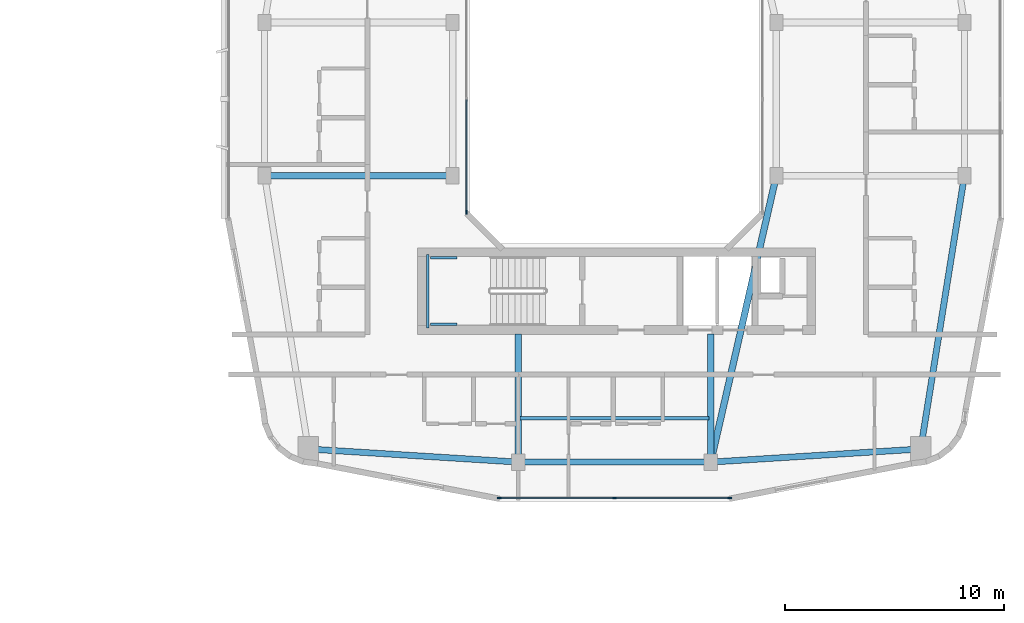
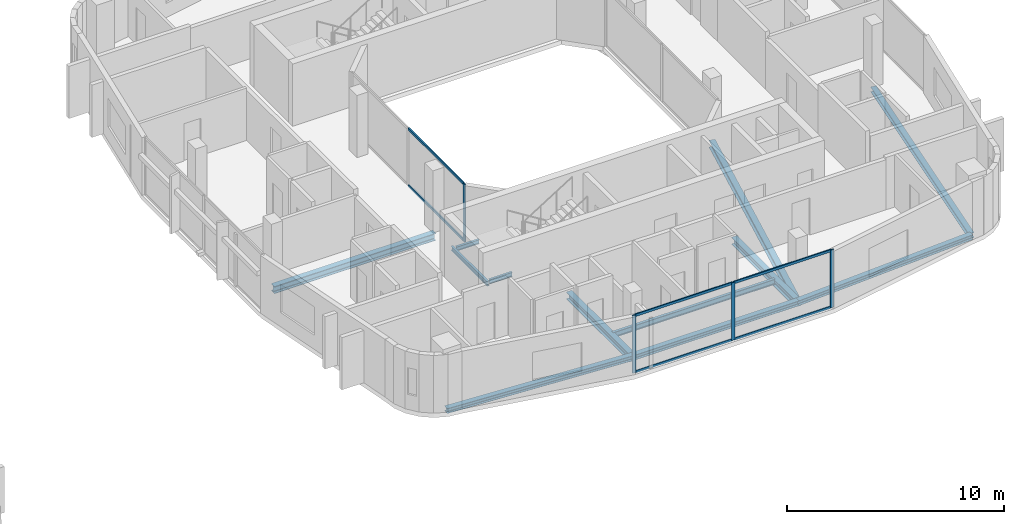
# One storey, part 7 of 26: 12 beams, 10 members, 2 elements without a shape of their own.
"""IFC4 building model written with IfcOpenShell, lengths in metres."""

from ifc_helpers import new_model, si_unit, derived_unit, direction, frame, origin, origin_2d, place, context, subcontext, project, spatial, rectangle, i_section, extrude, material, layer, layer_set, material_profile, profile_set, type_object, element, aggregate, save


model = new_model("IFC4")

# Units and contexts
model_context = context("Model", 3, precision=1e-05, world=origin(), true_north=direction((0.0, 1.0)))
body_context = subcontext(model_context, "Body", "Model", "MODEL_VIEW")
ifc_project = project(units=[si_unit("LENGTHUNIT", "METRE"), si_unit("AREAUNIT", "SQUARE_METRE"), si_unit("VOLUMEUNIT", "CUBIC_METRE"), si_unit("PLANEANGLEUNIT", "RADIAN"), si_unit("MASSUNIT", "GRAM", prefix="KILO"), derived_unit("THERMALTRANSMITTANCEUNIT", [(si_unit("POWERUNIT", "WATT"), 1), (si_unit("LENGTHUNIT", "METRE"), -2), (si_unit("THERMODYNAMICTEMPERATUREUNIT", "KELVIN"), -1)])], contexts=[model_context])

# Site, building, storey
site_placement = place(None, origin())
site = spatial("IfcSite", under=ifc_project, at=site_placement, CompositionType="ELEMENT")
building_placement = place(site_placement, origin())
building = spatial("IfcBuilding", under=site, at=building_placement, Name="Kivonza Crest Hotel", CompositionType="ELEMENT")
storey_placement = place(building_placement, frame((0.0, 0.0, 95.0)))
storey = spatial("IfcBuildingStorey", under=building, at=storey_placement, Name="L25", CompositionType="ELEMENT", Elevation=95.0)

# Beams
ifc_material_1 = material(Name="Steel S355", Category="steel")
ifc_material_profile_1 = material_profile(ifc_material_1, i_section(OverallWidth=0.280029296875, OverallDepth=0.280029296875, WebThickness=0.010498046875, FlangeThickness=0.01806640625, FilletRadius=0.02392578125, at=origin_2d()), Name="HEB 280")
ifc_profile_set_1 = profile_set([ifc_material_profile_1], Name="Steel S355")
beam_type_1 = type_object("IfcBeamType", Name="BM-HEB280", PredefinedType="SPANDREL", material=ifc_profile_set_1)
beam_1_placement = place(storey_placement, frame((72.60009765625, 8.39990234375, -0.389892578125), z_axis=(1.0, 0.0, 0.0), x_axis=(0.0, 1.0, 0.0)))
element("IfcBeam", 1, at=beam_1_placement, inside=storey, type_object=beam_type_1, Name="Companion Tower T2 L25 perimeter spandrel S1-S2", PredefinedType="SPANDREL", context=body_context, shape_type="SweptSolid", body=[
    extrude(i_section(OverallWidth=0.280029296875, OverallDepth=0.280029296875, WebThickness=0.010498046875, FlangeThickness=0.01806640625, FilletRadius=0.02392578125, at=origin_2d()), origin(), (0.0, 0.0, 1.0), 8.7998046875),
])
beam_2_placement = place(storey_placement, frame((81.39990234375, 8.39990234375, -0.389892578125), z_axis=(0.998051985873, 0.062387767186, 0.0), x_axis=(-0.062387767186, 0.998051985873, 0.0)))
element("IfcBeam", 2, at=beam_2_placement, inside=storey, type_object=beam_type_1, Name="Companion Tower T2 L25 perimeter spandrel S2-SE", PredefinedType="SPANDREL", context=body_context, shape_type="SweptSolid", body=[
    extrude(i_section(OverallWidth=0.280029296875, OverallDepth=0.280029296875, WebThickness=0.010498046875, FlangeThickness=0.01806640625, FilletRadius=0.02392578125, at=origin_2d()), origin(), (0.0, 0.0, 1.0), 9.618896484375),
])
beam_3_placement = place(storey_placement, frame((91.0, 9.0, -0.389892578125), z_axis=(0.157990501107, 0.987440631917, 0.0), x_axis=(-0.987440631917, 0.157990501107, 0.0)))
element("IfcBeam", 3, at=beam_3_placement, inside=storey, type_object=beam_type_1, Name="Companion Tower T2 L25 perimeter spandrel SE-E1", PredefinedType="SPANDREL", context=body_context, shape_type="SweptSolid", body=[
    extrude(i_section(OverallWidth=0.280029296875, OverallDepth=0.280029296875, WebThickness=0.010498046875, FlangeThickness=0.01806640625, FilletRadius=0.02392578125, at=origin_2d()), origin(), (0.0, 0.0, 1.0), 12.658935546875),
])
beam_4_placement = place(storey_placement, frame((63.0, 9.0, -0.389892578125), z_axis=(0.998051985873, -0.062387767186, 0.0), x_axis=(0.062387767186, 0.998051985873, 0.0)))
element("IfcBeam", 4, at=beam_4_placement, inside=storey, type_object=beam_type_1, Name="Companion Tower T2 L25 perimeter spandrel SW-S1", PredefinedType="SPANDREL", context=body_context, shape_type="SweptSolid", body=[
    extrude(i_section(OverallWidth=0.280029296875, OverallDepth=0.280029296875, WebThickness=0.010498046875, FlangeThickness=0.01806640625, FilletRadius=0.02392578125, at=origin_2d()), origin(), (0.0, 0.0, 1.0), 9.618896484375),
])
ifc_material_profile_2 = material_profile(ifc_material_1, i_section(OverallWidth=0.300048828125, OverallDepth=0.39990234375, WebThickness=0.013427734375, FlangeThickness=0.02392578125, FilletRadius=0.027099609375, at=origin_2d()), Name="HEB 400")
ifc_profile_set_2 = profile_set([ifc_material_profile_2], Name="Steel S355")
beam_type_2 = type_object("IfcBeamType", Name="BM-HEB400", PredefinedType="BEAM", material=ifc_profile_set_2)
beam_5_placement = place(storey_placement, frame((61.0, 21.5, -0.449951171875), z_axis=(1.0, 0.0, 0.0), x_axis=(0.0, 1.0, 0.0)))
element("IfcBeam", 5, at=beam_5_placement, inside=storey, type_object=beam_type_2, Name="Companion Tower T2 L25 girder W1-WL1", PredefinedType="BEAM", context=body_context, shape_type="SweptSolid", body=[
    extrude(i_section(OverallWidth=0.300048828125, OverallDepth=0.39990234375, WebThickness=0.013427734375, FlangeThickness=0.02392578125, FilletRadius=0.027099609375, at=origin_2d()), origin(), (0.0, 0.0, 1.0), 8.60009765625),
])
beam_6_placement = place(storey_placement, frame((84.39990234375, 21.5, -0.449951171875), z_axis=(-0.223227287589, -0.974766422317, 0.0), x_axis=(0.974766422317, -0.223227287589, 0.0)))
element("IfcBeam", 6, at=beam_6_placement, inside=storey, type_object=beam_type_2, Name="Companion Tower T2 L25 girder WR1-S2", PredefinedType="BEAM", context=body_context, shape_type="SweptSolid", body=[
    extrude(i_section(OverallWidth=0.300048828125, OverallDepth=0.39990234375, WebThickness=0.013427734375, FlangeThickness=0.02392578125, FilletRadius=0.027099609375, at=origin_2d()), origin(), (0.0, 0.0, 1.0), 13.439208984375),
])
for number, where, z_axis, x_axis, name in (
    (7, (72.60009765625, 8.39990234375, -0.449951171875), (0.0, 1.0, 0.0), (-1.0, 0.0, 0.0), "Companion T2 L25 radial core girder RS1"),
    (8, (81.39990234375, 8.39990234375, -0.449951171875), (0.0, 1.0, 0.0), (-1.0, 0.0, 0.0), "Companion T2 L25 radial core girder RS2"),
):
    element("IfcBeam", number, at=place(storey_placement, frame(where, z_axis=z_axis, x_axis=x_axis)), inside=storey, type_object=beam_type_2, Name=name, PredefinedType="BEAM", context=body_context, shape_type="SweptSolid", body=[
        extrude(i_section(OverallWidth=0.300048828125, OverallDepth=0.39990234375, WebThickness=0.013427734375, FlangeThickness=0.02392578125, FilletRadius=0.027099609375, at=origin_2d()), origin(), (0.0, 0.0, 1.0), 5.85009765625),
    ])
ifc_material_profile_3 = material_profile(ifc_material_1, i_section(OverallWidth=0.14990234375, OverallDepth=0.300048828125, WebThickness=0.007080078125, FlangeThickness=0.0107421875, FilletRadius=0.014892578125, at=origin_2d()), Name="IPE 300")
ifc_profile_set_3 = profile_set([ifc_material_profile_3], Name="Steel S355")
beam_type_3 = type_object("IfcBeamType", Name="BM-IPE300", PredefinedType="JOIST", material=ifc_profile_set_3)
beam_7_placement = place(storey_placement, frame((72.679931640625, 10.39990234375, -0.39990234375), z_axis=(1.0, 0.0, 0.0), x_axis=(0.0, 1.0, 0.0)))
element("IfcBeam", 9, at=beam_7_placement, inside=storey, type_object=beam_type_3, Name="Companion Tower T2 L25 South floor joist", PredefinedType="JOIST", context=body_context, shape_type="SweptSolid", body=[
    extrude(i_section(OverallWidth=0.14990234375, OverallDepth=0.300048828125, WebThickness=0.007080078125, FlangeThickness=0.0107421875, FilletRadius=0.014892578125, at=origin_2d()), origin(), (0.0, 0.0, 1.0), 8.64013671875),
])
ifc_material_profile_4 = material_profile(ifc_material_1, i_section(OverallWidth=0.1201171875, OverallDepth=0.239990234375, WebThickness=0.006103515625, FlangeThickness=0.009765625, FilletRadius=0.014892578125, at=origin_2d()), Name="IPE 240")
ifc_profile_set_4 = profile_set([ifc_material_profile_4], Name="Steel S355")
beam_type_4 = type_object("IfcBeamType", Name="BM-LLDG-240", PredefinedType="BEAM", material=ifc_profile_set_4)
beam_8_placement = place(storey_placement, frame((68.4599609375, 14.5400390625, 1.429931640625), z_axis=(0.0, 1.0, 0.0), x_axis=(-1.0, 0.0, 0.0)))
element("IfcBeam", 10, at=beam_8_placement, inside=storey, type_object=beam_type_4, Name="Stair ST-T2-S L25 West landing corbel", PredefinedType="BEAM", context=body_context, shape_type="SweptSolid", body=[
    extrude(i_section(OverallWidth=0.1201171875, OverallDepth=0.239990234375, WebThickness=0.006103515625, FlangeThickness=0.009765625, FilletRadius=0.014892578125, at=origin_2d()), origin(), (0.0, 0.0, 1.0), 3.35986328125),
])
for number, where, z_axis, x_axis, name in (
    (11, (68.590087890625, 14.699951171875, 1.429931640625), (1.0, 0.0, 0.0), (0.0, 1.0, 0.0), "Stair ST-T2-S L25 South landing corbel"),
    (12, (68.590087890625, 17.739990234375, 1.429931640625), (1.0, 0.0, 0.0), (0.0, 1.0, 0.0), "Stair ST-T2-S L25 North landing corbel"),
):
    element("IfcBeam", number, at=place(storey_placement, frame(where, z_axis=z_axis, x_axis=x_axis)), inside=storey, type_object=beam_type_4, Name=name, PredefinedType="BEAM", context=body_context, shape_type="SweptSolid", body=[
        extrude(i_section(OverallWidth=0.1201171875, OverallDepth=0.239990234375, WebThickness=0.006103515625, FlangeThickness=0.009765625, FilletRadius=0.014892578125, at=origin_2d()), origin(), (0.0, 0.0, 1.0), 1.2099609375),
    ])

# Curtain wall, members
ifc_material_2 = material(Name="Anodised bronze aluminium and low-E double glazing", Category="aluminium")
ifc_layer_1 = layer(ifc_material_2, 0.179931640625)
ifc_layer_set_1 = layer_set([ifc_layer_1], Name="Anodised bronze aluminium and low-E double glazing")
curtain_wall_type_1 = type_object("IfcCurtainWallType", Name="CW-SYS-4", PredefinedType="NOTDEFINED", material=ifc_layer_set_1)
curtain_wall_1_placement = place(storey_placement, origin())
curtain_wall_1 = element("IfcCurtainWall", 13, at=curtain_wall_1_placement, inside=storey, type_object=curtain_wall_type_1, Name="L25 unitised curtain wall CW-T2-L25-08", PredefinedType="NOTDEFINED")
ifc_material_3 = material(Name="Anodised bronze aluminium", Category="aluminium")
ifc_material_profile_5 = material_profile(ifc_material_3, rectangle(XDim=0.06494140625, YDim=0.179931640625, at=origin_2d()), Name="CW-M 65x180")
ifc_profile_set_5 = profile_set([ifc_material_profile_5], Name="Anodised bronze aluminium")
member_type_1 = type_object("IfcMemberType", Name="CW-MUL-65x180", PredefinedType="MULLION", material=ifc_profile_set_5)
member_1_placement = place(storey_placement, frame((71.732421875, 6.760009765625, 0.0), z_axis=(0.0, 0.0, 1.0), x_axis=(0.0, 1.0, 0.0)))
member_1 = element("IfcMember", 14, at=member_1_placement, type_object=member_type_1, Name="CW-4 mullion 1", PredefinedType="MULLION", context=body_context, shape_type="SweptSolid", body=[
    extrude(rectangle(XDim=0.06494140625, YDim=0.179931640625, at=origin_2d()), origin(), (0.0, 0.0, 1.0), 3.25),
])
member_2_placement = place(storey_placement, frame((77.0, 6.760009765625, 0.0), z_axis=(0.0, 0.0, 1.0), x_axis=(0.0, 1.0, 0.0)))
member_2 = element("IfcMember", 15, at=member_2_placement, type_object=member_type_1, Name="CW-4 mullion 2", PredefinedType="MULLION", context=body_context, shape_type="SweptSolid", body=[
    extrude(rectangle(XDim=0.06494140625, YDim=0.179931640625, at=origin_2d()), origin(), (0.0, 0.0, 1.0), 3.25),
])
member_3_placement = place(storey_placement, frame((82.267578125, 6.760009765625, 0.0), z_axis=(0.0, 0.0, 1.0), x_axis=(0.0, 1.0, 0.0)))
member_3 = element("IfcMember", 16, at=member_3_placement, type_object=member_type_1, Name="CW-4 mullion 3", PredefinedType="MULLION", context=body_context, shape_type="SweptSolid", body=[
    extrude(rectangle(XDim=0.06494140625, YDim=0.179931640625, at=origin_2d()), origin(), (0.0, 0.0, 1.0), 3.25),
])

# Curtain wall, member
ifc_layer_2 = layer(ifc_material_2, 0.159912109375)
ifc_layer_set_2 = layer_set([ifc_layer_2], Name="Anodised bronze aluminium and low-E double glazing")
curtain_wall_type_2 = type_object("IfcCurtainWallType", Name="CW-SYS-5", PredefinedType="NOTDEFINED", material=ifc_layer_set_2)
curtain_wall_2_placement = place(storey_placement, origin())
curtain_wall_2 = element("IfcCurtainWall", 17, at=curtain_wall_2_placement, inside=storey, type_object=curtain_wall_type_2, Name="L25 unitised curtain wall CW-WELL-T2-L25-7", PredefinedType="NOTDEFINED")
member_4_placement = place(storey_placement, frame((70.239990234375, 19.83251953125, 0.0), z_axis=(0.0, 0.0, 1.0), x_axis=(1.0, 0.0, 0.0)))
member_4 = element("IfcMember", 18, at=member_4_placement, type_object=member_type_1, Name="CW-5 mullion 3", PredefinedType="MULLION", context=body_context, shape_type="SweptSolid", body=[
    extrude(rectangle(XDim=0.06494140625, YDim=0.179931640625, at=origin_2d()), origin(), (0.0, 0.0, 1.0), 3.25),
])

# Member
ifc_material_profile_6 = material_profile(ifc_material_3, rectangle(XDim=0.06494140625, YDim=0.139892578125, at=origin_2d()), Name="CW-T 65x140")
ifc_profile_set_6 = profile_set([ifc_material_profile_6], Name="Anodised bronze aluminium")
member_type_2 = type_object("IfcMemberType", Name="CW-TRN-65x140", PredefinedType="USERDEFINED", material=ifc_profile_set_6)
member_5_placement = place(storey_placement, frame((71.764892578125, 6.760009765625, 0.032470703125), z_axis=(1.0, 0.0, 0.0), x_axis=(0.0, 1.0, 0.0)))
member_5 = element("IfcMember", 19, at=member_5_placement, type_object=member_type_2, Name="CW-4 transom 1.1", ObjectType="TRANSOM", PredefinedType="USERDEFINED", context=body_context, shape_type="SweptSolid", body=[
    extrude(rectangle(XDim=0.06494140625, YDim=0.139892578125, at=origin_2d()), origin(), (0.0, 0.0, 1.0), 5.20263671875),
])

member_6_placement = place(storey_placement, frame((71.764892578125, 6.760009765625, 3.217529296875), z_axis=(1.0, 0.0, 0.0), x_axis=(0.0, 1.0, 0.0)))
member_6 = element("IfcMember", 20, at=member_6_placement, type_object=member_type_2, Name="CW-4 transom 1.2", ObjectType="TRANSOM", PredefinedType="USERDEFINED", context=body_context, shape_type="SweptSolid", body=[
    extrude(rectangle(XDim=0.06494140625, YDim=0.139892578125, at=origin_2d()), origin(), (0.0, 0.0, 1.0), 5.20263671875),
])

member_7_placement = place(storey_placement, frame((77.032470703125, 6.760009765625, 0.032470703125), z_axis=(1.0, 0.0, 0.0), x_axis=(0.0, 1.0, 0.0)))
member_7 = element("IfcMember", 21, at=member_7_placement, type_object=member_type_2, Name="CW-4 transom 2.1", ObjectType="TRANSOM", PredefinedType="USERDEFINED", context=body_context, shape_type="SweptSolid", body=[
    extrude(rectangle(XDim=0.06494140625, YDim=0.139892578125, at=origin_2d()), origin(), (0.0, 0.0, 1.0), 5.20263671875),
])

member_8_placement = place(storey_placement, frame((77.032470703125, 6.760009765625, 3.217529296875), z_axis=(1.0, 0.0, 0.0), x_axis=(0.0, 1.0, 0.0)))
member_8 = element("IfcMember", 22, at=member_8_placement, type_object=member_type_2, Name="CW-4 transom 2.2", ObjectType="TRANSOM", PredefinedType="USERDEFINED", context=body_context, shape_type="SweptSolid", body=[
    extrude(rectangle(XDim=0.06494140625, YDim=0.139892578125, at=origin_2d()), origin(), (0.0, 0.0, 1.0), 5.20263671875),
])

aggregate(curtain_wall_1, [member_1, member_2, member_3, member_5, member_6, member_7, member_8])

member_9_placement = place(storey_placement, frame((70.239990234375, 24.967529296875, 0.032470703125), z_axis=(0.0, -1.0, 0.0), x_axis=(1.0, 0.0, 0.0)))
member_9 = element("IfcMember", 23, at=member_9_placement, type_object=member_type_2, Name="CW-5 transom 2.1", ObjectType="TRANSOM", PredefinedType="USERDEFINED", context=body_context, shape_type="SweptSolid", body=[
    extrude(rectangle(XDim=0.06494140625, YDim=0.139892578125, at=origin_2d()), origin(), (0.0, 0.0, 1.0), 5.1025390625),
])

member_10_placement = place(storey_placement, frame((70.239990234375, 24.967529296875, 3.217529296875), z_axis=(0.0, -1.0, 0.0), x_axis=(1.0, 0.0, 0.0)))
member_10 = element("IfcMember", 24, at=member_10_placement, type_object=member_type_2, Name="CW-5 transom 2.2", ObjectType="TRANSOM", PredefinedType="USERDEFINED", context=body_context, shape_type="SweptSolid", body=[
    extrude(rectangle(XDim=0.06494140625, YDim=0.139892578125, at=origin_2d()), origin(), (0.0, 0.0, 1.0), 5.1025390625),
])

aggregate(curtain_wall_2, [member_4, member_9, member_10])

save(model, "model.ifc")
